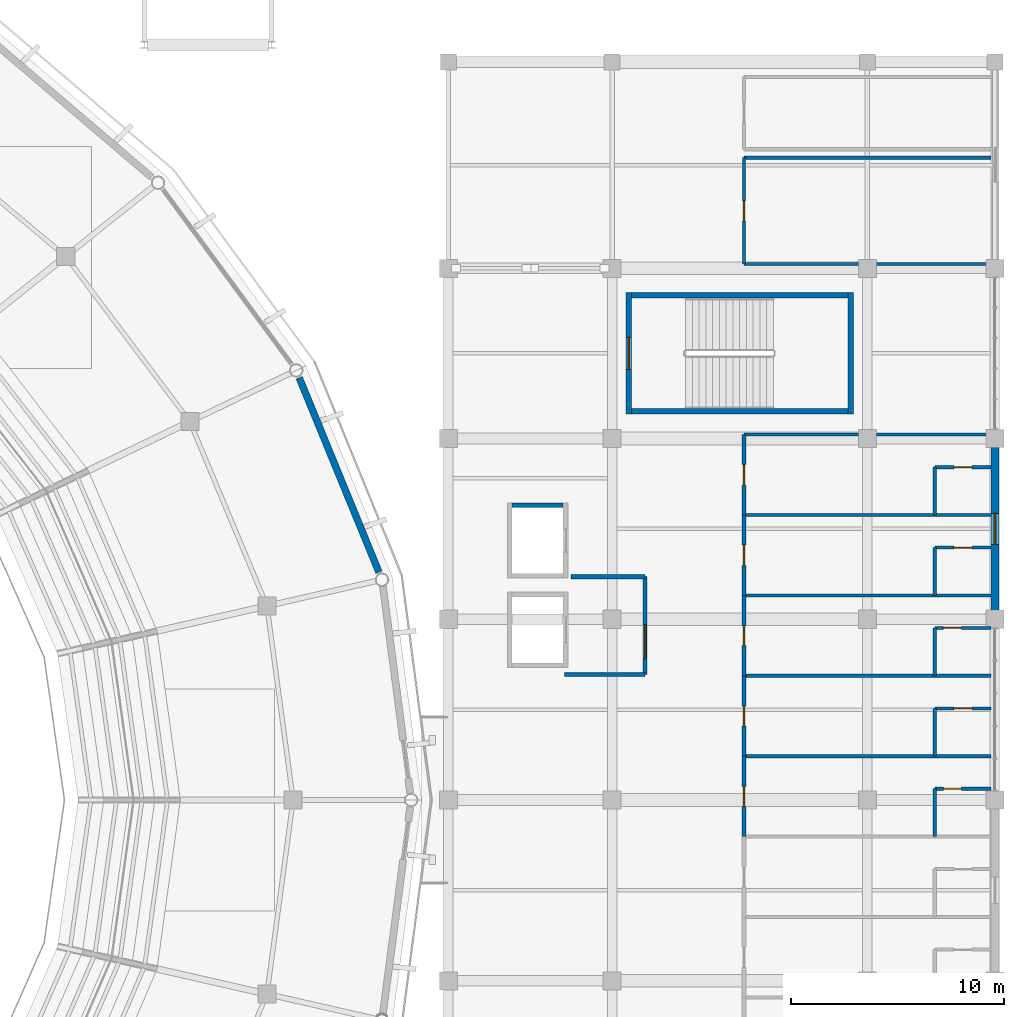
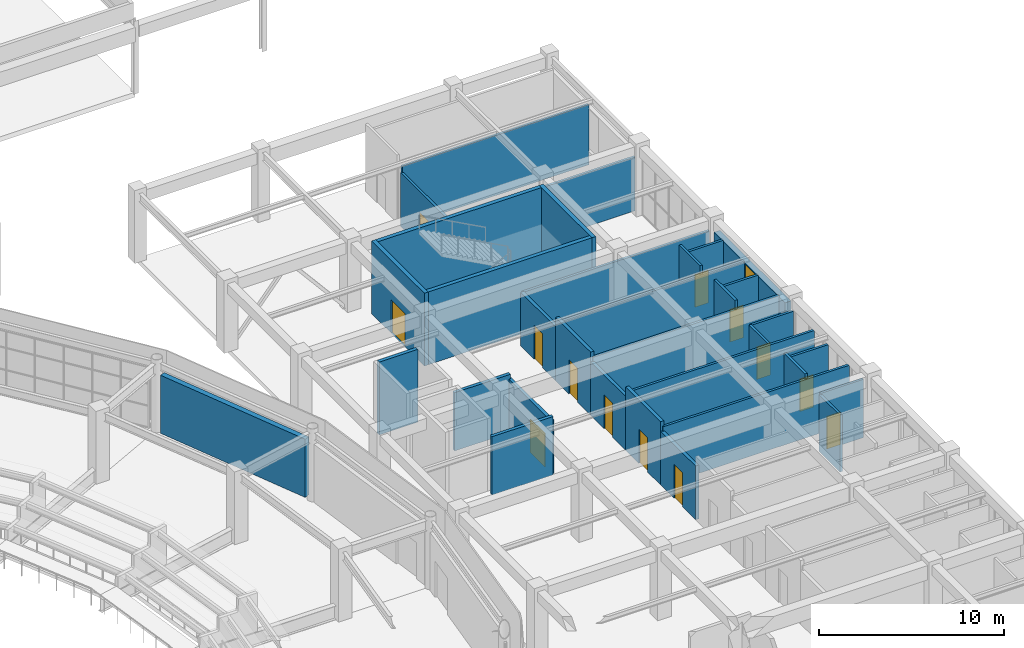
# One storey, part 105 of 122: 33 walls, 13 doors, 1 window, 14 openings.
"""IFC4 building model written with IfcOpenShell, lengths in metres."""

from ifc_helpers import new_model, si_unit, direction, frame, frame_2d, origin, place, context, subcontext, project, spatial, rectangle, extrude, material, layer, layer_set, type_object, element, fill, save


model = new_model("IFC4")

# Units and contexts
model_context = context("Model", 3, precision=1e-05, world=origin(), true_north=direction((0.0, 1.0)))
body_context = subcontext(model_context, "Body", "Model", "MODEL_VIEW")
ifc_project = project(units=[si_unit("LENGTHUNIT", "METRE"), si_unit("AREAUNIT", "SQUARE_METRE"), si_unit("VOLUMEUNIT", "CUBIC_METRE"), si_unit("PLANEANGLEUNIT", "RADIAN"), si_unit("MASSUNIT", "GRAM", prefix="KILO")], contexts=[model_context])

# Site, building, storey
site_placement = place(None, origin())
site = spatial("IfcSite", under=ifc_project, at=site_placement, CompositionType="ELEMENT")
building_placement = place(site_placement, origin())
building = spatial("IfcBuilding", under=site, at=building_placement, Name="Cuetzalor Civic Arena", CompositionType="ELEMENT")
storey_placement = place(building_placement, frame((0.0, 0.0, 16.199951171875)))
storey = spatial("IfcBuildingStorey", under=building, at=storey_placement, Name="L03", CompositionType="ELEMENT", Elevation=16.199951171875)

# Wall, opening, door
ifc_material_1 = material(Name="Acoustic steel-stud gypsum partition", Category="steel")
ifc_layer_1 = layer(ifc_material_1, 0.14990234375)
ifc_layer_set_1 = layer_set([ifc_layer_1], Name="Acoustic steel-stud gypsum partition")
wall_type_1 = type_object("IfcWallType", Name="AcousticGypsumPartition_150", PredefinedType="PARTITIONING", material=ifc_layer_set_1)
wall_1_placement = place(storey_placement, frame((79.169921875, 0.530029296875, 0.0), z_axis=(0.0, 0.0, 1.0), x_axis=(1.0, 0.0, 0.0)))
wall_1 = element("IfcWall", 1, at=wall_1_placement, inside=storey, type_object=wall_type_1, Name="Interior Partition IWALL:L03:0463", PredefinedType="PARTITIONING", context=body_context, shape_type="SweptSolid", body=[
    extrude(rectangle(XDim=2.650146484375, YDim=0.14990234375, at=frame_2d((1.3251953125, 0.0))), origin(), (0.0, 0.0, 1.0), 3.844970703125),
])
opening_1_placement = place(wall_1_placement, frame((0.39990234375, 0.0, 0.0)))
opening_1 = element("IfcOpeningElement", 2, at=opening_1_placement, cuts=wall_1, Name="Opening ID-01", PredefinedType="OPENING", context=body_context, shape_type="SweptSolid", body=[
    extrude(rectangle(XDim=0.85009765625, YDim=2.14990234375, at=frame_2d((0.425048828125, 1.074951171875))), frame((0.0, 0.0849609375, 0.0), z_axis=(0.0, -1.0, 0.0), x_axis=(1.0, 0.0, 0.0)), (0.0, 0.0, 1.0), 0.169921875),
])
ifc_material_2 = material(Name="Painted steel frame and solid timber leaf", Category="steel")
door_type_1 = type_object("IfcDoorType", Name="InteriorSingleDoor_850x2150", OperationType="NOTDEFINED", PredefinedType="DOOR", material=ifc_material_2)
door_1_placement = place(opening_1_placement, origin())
door_1 = element("IfcDoor", 3, at=door_1_placement, inside=storey, type_object=door_type_1, Name="Door to Suite Bathroom 318", OperationType="SINGLE_SWING_LEFT", OverallHeight=2.14990234375, OverallWidth=0.85009765625, PredefinedType="DOOR", context=body_context, shape_type="SweptSolid", body=[
    extrude(rectangle(XDim=0.85009765625, YDim=2.14990234375, at=frame_2d((0.425048828125, 1.074951171875))), frame((0.0, 0.02490234375, 0.0), z_axis=(0.0, -1.0, 0.0), x_axis=(1.0, 0.0, 0.0)), (0.0, 0.0, 1.0), 0.050048828125),
])
fill(opening_1, door_1)

# Walls
wall_2_placement = place(storey_placement, frame((79.169921875, -1.719970703125, 0.0), z_axis=(0.0, 0.0, 1.0), x_axis=(0.0, 1.0, 0.0)))
element("IfcWall", 4, at=wall_2_placement, inside=storey, type_object=wall_type_1, Name="Interior Partition IWALL:L03:0464", PredefinedType="PARTITIONING", context=body_context, shape_type="SweptSolid", body=[
    extrude(rectangle(XDim=2.25, YDim=0.14990234375, at=frame_2d((1.125, 0.0))), origin(), (0.0, 0.0, 1.0), 3.7451171875),
])
wall_3_placement = place(storey_placement, frame((70.199951171875, 2.06005859375, 0.0), z_axis=(0.0, 0.0, 1.0), x_axis=(1.0, 0.0, 0.0)))
element("IfcWall", 5, at=wall_3_placement, inside=storey, type_object=wall_type_1, Name="Interior Partition IWALL:L03:0466", PredefinedType="PARTITIONING", context=body_context, shape_type="SweptSolid", body=[
    extrude(rectangle(XDim=11.6201171875, YDim=0.14990234375, at=frame_2d((5.81005859375, 0.0))), origin(), (0.0, 0.0, 1.0), 3.844970703125),
])

# Wall, opening, door
wall_4_placement = place(storey_placement, frame((79.169921875, 4.31005859375, 0.0), z_axis=(0.0, 0.0, 1.0), x_axis=(1.0, 0.0, 0.0)))
wall_4 = element("IfcWall", 6, at=wall_4_placement, inside=storey, type_object=wall_type_1, Name="Interior Partition IWALL:L03:0467", PredefinedType="PARTITIONING", context=body_context, shape_type="SweptSolid", body=[
    extrude(rectangle(XDim=2.650146484375, YDim=0.14990234375, at=frame_2d((1.3251953125, 0.0))), origin(), (0.0, 0.0, 1.0), 3.844970703125),
])
opening_2_placement = place(wall_4_placement, frame((0.89990234375, 0.0, 0.0)))
opening_2 = element("IfcOpeningElement", 7, at=opening_2_placement, cuts=wall_4, Name="Opening ID-01", PredefinedType="OPENING", context=body_context, shape_type="SweptSolid", body=[
    extrude(rectangle(XDim=0.85009765625, YDim=2.14990234375, at=frame_2d((0.425048828125, 1.074951171875))), frame((0.0, 0.0849609375, 0.0), z_axis=(0.0, -1.0, 0.0), x_axis=(1.0, 0.0, 0.0)), (0.0, 0.0, 1.0), 0.169921875),
])
door_2_placement = place(opening_2_placement, origin())
door_2 = element("IfcDoor", 8, at=door_2_placement, inside=storey, type_object=door_type_1, Name="Door to Suite Bathroom 319", OperationType="SINGLE_SWING_LEFT", OverallHeight=2.14990234375, OverallWidth=0.85009765625, PredefinedType="DOOR", context=body_context, shape_type="SweptSolid", body=[
    extrude(rectangle(XDim=0.85009765625, YDim=2.14990234375, at=frame_2d((0.425048828125, 1.074951171875))), frame((0.0, 0.02490234375, 0.0), z_axis=(0.0, -1.0, 0.0), x_axis=(1.0, 0.0, 0.0)), (0.0, 0.0, 1.0), 0.050048828125),
])
fill(opening_2, door_2)

# Walls
wall_5_placement = place(storey_placement, frame((79.169921875, 2.06005859375, 0.0), z_axis=(0.0, 0.0, 1.0), x_axis=(0.0, 1.0, 0.0)))
element("IfcWall", 9, at=wall_5_placement, inside=storey, type_object=wall_type_1, Name="Interior Partition IWALL:L03:0468", PredefinedType="PARTITIONING", context=body_context, shape_type="SweptSolid", body=[
    extrude(rectangle(XDim=2.25, YDim=0.14990234375, at=frame_2d((1.125, 0.0))), origin(), (0.0, 0.0, 1.0), 4.18212890625),
])
wall_6_placement = place(storey_placement, frame((70.199951171875, 5.840087890625, 0.0), z_axis=(0.0, 0.0, 1.0), x_axis=(1.0, 0.0, 0.0)))
element("IfcWall", 10, at=wall_6_placement, inside=storey, type_object=wall_type_1, Name="Interior Partition IWALL:L03:0470", PredefinedType="PARTITIONING", context=body_context, shape_type="SweptSolid", body=[
    extrude(rectangle(XDim=11.6201171875, YDim=0.14990234375, at=frame_2d((5.81005859375, 0.0))), origin(), (0.0, 0.0, 1.0), 3.844970703125),
])

# Wall, opening, door
wall_7_placement = place(storey_placement, frame((79.169921875, 8.090087890625, 0.0), z_axis=(0.0, 0.0, 1.0), x_axis=(1.0, 0.0, 0.0)))
wall_7 = element("IfcWall", 11, at=wall_7_placement, inside=storey, type_object=wall_type_1, Name="Interior Partition IWALL:L03:0471", PredefinedType="PARTITIONING", context=body_context, shape_type="SweptSolid", body=[
    extrude(rectangle(XDim=2.650146484375, YDim=0.14990234375, at=frame_2d((1.3251953125, 0.0))), origin(), (0.0, 0.0, 1.0), 3.7451171875),
])
opening_3_placement = place(wall_7_placement, frame((0.39990234375, 0.0, 0.0)))
opening_3 = element("IfcOpeningElement", 12, at=opening_3_placement, cuts=wall_7, Name="Opening ID-01", PredefinedType="OPENING", context=body_context, shape_type="SweptSolid", body=[
    extrude(rectangle(XDim=0.85009765625, YDim=2.14990234375, at=frame_2d((0.425048828125, 1.074951171875))), frame((0.0, 0.0849609375, 0.0), z_axis=(0.0, -1.0, 0.0), x_axis=(1.0, 0.0, 0.0)), (0.0, 0.0, 1.0), 0.169921875),
])
door_3_placement = place(opening_3_placement, origin())
door_3 = element("IfcDoor", 13, at=door_3_placement, inside=storey, type_object=door_type_1, Name="Door to Suite Bathroom 320", OperationType="SINGLE_SWING_LEFT", OverallHeight=2.14990234375, OverallWidth=0.85009765625, PredefinedType="DOOR", context=body_context, shape_type="SweptSolid", body=[
    extrude(rectangle(XDim=0.85009765625, YDim=2.14990234375, at=frame_2d((0.425048828125, 1.074951171875))), frame((0.0, 0.02490234375, 0.0), z_axis=(0.0, -1.0, 0.0), x_axis=(1.0, 0.0, 0.0)), (0.0, 0.0, 1.0), 0.050048828125),
])
fill(opening_3, door_3)

# Walls
wall_8_placement = place(storey_placement, frame((79.169921875, 5.840087890625, 0.0), z_axis=(0.0, 0.0, 1.0), x_axis=(0.0, 1.0, 0.0)))
element("IfcWall", 14, at=wall_8_placement, inside=storey, type_object=wall_type_1, Name="Interior Partition IWALL:L03:0472", PredefinedType="PARTITIONING", context=body_context, shape_type="SweptSolid", body=[
    extrude(rectangle(XDim=2.25, YDim=0.14990234375, at=frame_2d((1.125, 0.0))), origin(), (0.0, 0.0, 1.0), 3.7451171875),
])
wall_9_placement = place(storey_placement, frame((70.199951171875, 9.6201171875, 0.0), z_axis=(0.0, 0.0, 1.0), x_axis=(1.0, 0.0, 0.0)))
element("IfcWall", 15, at=wall_9_placement, inside=storey, type_object=wall_type_1, Name="Interior Partition IWALL:L03:0474", PredefinedType="PARTITIONING", context=body_context, shape_type="SweptSolid", body=[
    extrude(rectangle(XDim=11.6201171875, YDim=0.14990234375, at=frame_2d((5.81005859375, 0.0))), origin(), (0.0, 0.0, 1.0), 3.844970703125),
])

# Wall, opening, door
wall_10_placement = place(storey_placement, frame((79.169921875, 11.8701171875, 0.0), z_axis=(0.0, 0.0, 1.0), x_axis=(1.0, 0.0, 0.0)))
wall_10 = element("IfcWall", 16, at=wall_10_placement, inside=storey, type_object=wall_type_1, Name="Interior Partition IWALL:L03:0475", PredefinedType="PARTITIONING", context=body_context, shape_type="SweptSolid", body=[
    extrude(rectangle(XDim=2.650146484375, YDim=0.14990234375, at=frame_2d((1.3251953125, 0.0))), origin(), (0.0, 0.0, 1.0), 3.844970703125),
])
opening_4_placement = place(wall_10_placement, frame((0.89990234375, 0.0, 0.0)))
opening_4 = element("IfcOpeningElement", 17, at=opening_4_placement, cuts=wall_10, Name="Opening ID-01", PredefinedType="OPENING", context=body_context, shape_type="SweptSolid", body=[
    extrude(rectangle(XDim=0.85009765625, YDim=2.14990234375, at=frame_2d((0.425048828125, 1.074951171875))), frame((0.0, 0.0849609375, 0.0), z_axis=(0.0, -1.0, 0.0), x_axis=(1.0, 0.0, 0.0)), (0.0, 0.0, 1.0), 0.169921875),
])
door_4_placement = place(opening_4_placement, origin())
door_4 = element("IfcDoor", 18, at=door_4_placement, inside=storey, type_object=door_type_1, Name="Door to Suite Bathroom 321", OperationType="SINGLE_SWING_LEFT", OverallHeight=2.14990234375, OverallWidth=0.85009765625, PredefinedType="DOOR", context=body_context, shape_type="SweptSolid", body=[
    extrude(rectangle(XDim=0.85009765625, YDim=2.14990234375, at=frame_2d((0.425048828125, 1.074951171875))), frame((0.0, 0.02490234375, 0.0), z_axis=(0.0, -1.0, 0.0), x_axis=(1.0, 0.0, 0.0)), (0.0, 0.0, 1.0), 0.050048828125),
])
fill(opening_4, door_4)

# Walls
wall_11_placement = place(storey_placement, frame((79.169921875, 9.6201171875, 0.0), z_axis=(0.0, 0.0, 1.0), x_axis=(0.0, 1.0, 0.0)))
element("IfcWall", 19, at=wall_11_placement, inside=storey, type_object=wall_type_1, Name="Interior Partition IWALL:L03:0476", PredefinedType="PARTITIONING", context=body_context, shape_type="SweptSolid", body=[
    extrude(rectangle(XDim=2.25, YDim=0.14990234375, at=frame_2d((1.125, 0.0))), origin(), (0.0, 0.0, 1.0), 4.43994140625),
])
wall_12_placement = place(storey_placement, frame((70.199951171875, 13.39990234375, 0.0), z_axis=(0.0, 0.0, 1.0), x_axis=(1.0, 0.0, 0.0)))
element("IfcWall", 20, at=wall_12_placement, inside=storey, type_object=wall_type_1, Name="Interior Partition IWALL:L03:0478", PredefinedType="PARTITIONING", context=body_context, shape_type="SweptSolid", body=[
    extrude(rectangle(XDim=11.6201171875, YDim=0.14990234375, at=frame_2d((5.81005859375, 0.0))), origin(), (0.0, 0.0, 1.0), 3.844970703125),
])

# Wall, opening, door
wall_13_placement = place(storey_placement, frame((79.169921875, 15.64990234375, 0.0), z_axis=(0.0, 0.0, 1.0), x_axis=(1.0, 0.0, 0.0)))
wall_13 = element("IfcWall", 21, at=wall_13_placement, inside=storey, type_object=wall_type_1, Name="Interior Partition IWALL:L03:0479", PredefinedType="PARTITIONING", context=body_context, shape_type="SweptSolid", body=[
    extrude(rectangle(XDim=2.650146484375, YDim=0.14990234375, at=frame_2d((1.3251953125, 0.0))), origin(), (0.0, 0.0, 1.0), 3.844970703125),
])
opening_5_placement = place(wall_13_placement, frame((0.89990234375, 0.0, 0.0)))
opening_5 = element("IfcOpeningElement", 22, at=opening_5_placement, cuts=wall_13, Name="Opening ID-01", PredefinedType="OPENING", context=body_context, shape_type="SweptSolid", body=[
    extrude(rectangle(XDim=0.85009765625, YDim=2.14990234375, at=frame_2d((0.425048828125, 1.074951171875))), frame((0.0, 0.0849609375, 0.0), z_axis=(0.0, -1.0, 0.0), x_axis=(1.0, 0.0, 0.0)), (0.0, 0.0, 1.0), 0.169921875),
])
door_5_placement = place(opening_5_placement, origin())
door_5 = element("IfcDoor", 23, at=door_5_placement, inside=storey, type_object=door_type_1, Name="Door to Suite Bathroom 322", OperationType="SINGLE_SWING_LEFT", OverallHeight=2.14990234375, OverallWidth=0.85009765625, PredefinedType="DOOR", context=body_context, shape_type="SweptSolid", body=[
    extrude(rectangle(XDim=0.85009765625, YDim=2.14990234375, at=frame_2d((0.425048828125, 1.074951171875))), frame((0.0, 0.02490234375, 0.0), z_axis=(0.0, -1.0, 0.0), x_axis=(1.0, 0.0, 0.0)), (0.0, 0.0, 1.0), 0.050048828125),
])
fill(opening_5, door_5)

# Walls
wall_14_placement = place(storey_placement, frame((79.169921875, 13.39990234375, 0.0), z_axis=(0.0, 0.0, 1.0), x_axis=(0.0, 1.0, 0.0)))
element("IfcWall", 24, at=wall_14_placement, inside=storey, type_object=wall_type_1, Name="Interior Partition IWALL:L03:0480", PredefinedType="PARTITIONING", context=body_context, shape_type="SweptSolid", body=[
    extrude(rectangle(XDim=2.25, YDim=0.14990234375, at=frame_2d((1.125, 0.0))), origin(), (0.0, 0.0, 1.0), 4.43994140625),
])
wall_15_placement = place(storey_placement, frame((70.199951171875, 17.179931640625, 0.0), z_axis=(0.0, 0.0, 1.0), x_axis=(1.0, 0.0, 0.0)))
element("IfcWall", 25, at=wall_15_placement, inside=storey, type_object=wall_type_1, Name="Interior Partition IWALL:L03:0482", PredefinedType="PARTITIONING", context=body_context, shape_type="SweptSolid", body=[
    extrude(rectangle(XDim=11.6201171875, YDim=0.14990234375, at=frame_2d((5.81005859375, 0.0))), origin(), (0.0, 0.0, 1.0), 3.545166015625),
])
wall_16_placement = place(storey_placement, frame((70.199951171875, 30.199951171875, 0.0), z_axis=(0.0, 0.0, 1.0), x_axis=(1.0, 0.0, 0.0)))
element("IfcWall", 26, at=wall_16_placement, inside=storey, type_object=wall_type_1, Name="Interior Partition IWALL:L03:0483", PredefinedType="PARTITIONING", context=body_context, shape_type="SweptSolid", body=[
    extrude(rectangle(XDim=11.6201171875, YDim=0.14990234375, at=frame_2d((5.81005859375, 0.0))), origin(), (0.0, 0.0, 1.0), 3.962158203125),
])
wall_17_placement = place(storey_placement, frame((81.820068359375, 25.199951171875, 0.0), z_axis=(0.0, 0.0, 1.0), x_axis=(-1.0, 0.0, 0.0)))
element("IfcWall", 27, at=wall_17_placement, inside=storey, type_object=wall_type_1, Name="Interior Partition IWALL:L03:0484", PredefinedType="PARTITIONING", context=body_context, shape_type="SweptSolid", body=[
    extrude(rectangle(XDim=11.6201171875, YDim=0.14990234375, at=frame_2d((5.81005859375, 0.0))), origin(), (0.0, 0.0, 1.0), 3.545166015625),
])

# Wall, opening, door
wall_18_placement = place(storey_placement, frame((70.199951171875, 25.199951171875, 0.0), z_axis=(0.0, 0.0, 1.0), x_axis=(0.0, 1.0, 0.0)))
wall_18 = element("IfcWall", 28, at=wall_18_placement, inside=storey, type_object=wall_type_1, Name="Interior Partition IWALL:L03:0485", PredefinedType="PARTITIONING", context=body_context, shape_type="SweptSolid", body=[
    extrude(rectangle(XDim=5.0, YDim=0.14990234375, at=frame_2d((2.5, 0.0))), origin(), (0.0, 0.0, 1.0), 3.545166015625),
])
opening_6_placement = place(wall_18_placement, frame((2.02490234375, 0.0, 0.0)))
opening_6 = element("IfcOpeningElement", 29, at=opening_6_placement, cuts=wall_18, Name="Opening ID-03", PredefinedType="OPENING", context=body_context, shape_type="SweptSolid", body=[
    extrude(rectangle(XDim=0.949951171875, YDim=2.14990234375, at=frame_2d((0.47509765625, 1.074951171875))), frame((0.0, 0.0849609375, 0.0), z_axis=(0.0, -1.0, 0.0), x_axis=(1.0, 0.0, 0.0)), (0.0, 0.0, 1.0), 0.169921875),
])
ifc_material_3 = material(Name="Painted steel frame and solid timber leaf", Category="steel")
door_type_2 = type_object("IfcDoorType", Name="InteriorSingleDoor_950x2150", OperationType="NOTDEFINED", PredefinedType="DOOR", material=ifc_material_3)
door_6_placement = place(opening_6_placement, origin())
door_6 = element("IfcDoor", 30, at=door_6_placement, inside=storey, type_object=door_type_2, Name="Door to Public Restroom East L03", OperationType="SINGLE_SWING_LEFT", OverallHeight=2.14990234375, OverallWidth=0.949951171875, PredefinedType="DOOR", context=body_context, shape_type="SweptSolid", body=[
    extrude(rectangle(XDim=0.949951171875, YDim=2.14990234375, at=frame_2d((0.47509765625, 1.074951171875))), frame((0.0, 0.02490234375, 0.0), z_axis=(0.0, -1.0, 0.0), x_axis=(1.0, 0.0, 0.0)), (0.0, 0.0, 1.0), 0.050048828125),
])
fill(opening_6, door_6)

ifc_material_4 = material(Name="Concrete C40/50", Category="concrete")
ifc_layer_2 = layer(ifc_material_4, 0.25)
ifc_layer_set_2 = layer_set([ifc_layer_2], Name="Concrete C40/50")
wall_type_2 = type_object("IfcWallType", Name="ConcreteCoreShearWall_250", PredefinedType="SHEAR", material=ifc_layer_set_2)
wall_19_placement = place(storey_placement, frame((64.77490234375, 18.14990234375, 0.0), z_axis=(0.0, 0.0, 1.0), x_axis=(0.0, 1.0, 0.0)))
wall_19 = element("IfcWall", 31, at=wall_19_placement, inside=storey, type_object=wall_type_2, Name="Stair Core Shear Wall ST-22-L03-W", PredefinedType="SHEAR", context=body_context, shape_type="SweptSolid", body=[
    extrude(rectangle(XDim=5.7001953125, YDim=0.25, at=frame_2d((2.85009765625, 0.0))), origin(), (0.0, 0.0, 1.0), 4.800048828125),
])
opening_7_placement = place(wall_19_placement, frame((2.10009765625, 0.0, 0.0)))
opening_7 = element("IfcOpeningElement", 32, at=opening_7_placement, cuts=wall_19, Name="Opening FD-03", PredefinedType="OPENING", context=body_context, shape_type="SweptSolid", body=[
    extrude(rectangle(XDim=1.5, YDim=2.199951171875, at=frame_2d((0.75, 1.10009765625))), frame((0.0, 0.135009765625, 0.0), z_axis=(0.0, -1.0, 0.0), x_axis=(1.0, 0.0, 0.0)), (0.0, 0.0, 1.0), 0.27001953125),
])
ifc_material_5 = material(Name="Fire-rated steel stair exit double door", Category="steel")
door_type_3 = type_object("IfcDoorType", Name="StairFireDoubleDoor_1500x2200", OperationType="DOUBLE_DOOR_SINGLE_SWING", PredefinedType="DOOR", material=ifc_material_5)
door_7_placement = place(opening_7_placement, origin())
door_7 = element("IfcDoor", 33, at=door_7_placement, inside=storey, type_object=door_type_3, Name="Fire Stair Door ST-22 L03", OperationType="DOUBLE_DOOR_SINGLE_SWING", OverallHeight=2.199951171875, OverallWidth=1.5, PredefinedType="DOOR", context=body_context, shape_type="SweptSolid", body=[
    extrude(rectangle(XDim=1.5, YDim=2.199951171875, at=frame_2d((0.75, 1.10009765625))), frame((0.0, 0.02490234375, 0.0), z_axis=(0.0, -1.0, 0.0), x_axis=(1.0, 0.0, 0.0)), (0.0, 0.0, 1.0), 0.050048828125),
])
fill(opening_7, door_7)

# Walls
wall_20_placement = place(storey_placement, frame((64.89990234375, 23.72509765625, 0.0), z_axis=(0.0, 0.0, 1.0), x_axis=(1.0, 0.0, 0.0)))
element("IfcWall", 34, at=wall_20_placement, inside=storey, type_object=wall_type_2, Name="Stair Core Shear Wall ST-22-L03-N", PredefinedType="SHEAR", context=body_context, shape_type="SweptSolid", body=[
    extrude(rectangle(XDim=10.2001953125, YDim=0.25, at=frame_2d((5.10009765625, 0.0))), origin(), (0.0, 0.0, 1.0), 4.800048828125),
])
wall_21_placement = place(storey_placement, frame((75.22509765625, 23.85009765625, 0.0), z_axis=(0.0, 0.0, 1.0), x_axis=(0.0, -1.0, 0.0)))
element("IfcWall", 35, at=wall_21_placement, inside=storey, type_object=wall_type_2, Name="Stair Core Shear Wall ST-22-L03-E", PredefinedType="SHEAR", context=body_context, shape_type="SweptSolid", body=[
    extrude(rectangle(XDim=5.7001953125, YDim=0.25, at=frame_2d((2.85009765625, 0.0))), origin(), (0.0, 0.0, 1.0), 4.800048828125),
])
wall_22_placement = place(storey_placement, frame((75.10009765625, 18.27490234375, 0.0), z_axis=(0.0, 0.0, 1.0), x_axis=(-1.0, 0.0, 0.0)))
element("IfcWall", 36, at=wall_22_placement, inside=storey, type_object=wall_type_2, Name="Stair Core Shear Wall ST-22-L03-S", PredefinedType="SHEAR", context=body_context, shape_type="SweptSolid", body=[
    extrude(rectangle(XDim=10.2001953125, YDim=0.25, at=frame_2d((5.10009765625, 0.0))), origin(), (0.0, 0.0, 1.0), 4.800048828125),
])

# Wall, opening, door
ifc_material_6 = material(Name="Fire-rated masonry and gypsum partition", Category="masonry")
ifc_layer_3 = layer(ifc_material_6, 0.199951171875)
ifc_layer_set_3 = layer_set([ifc_layer_3], Name="Fire-rated masonry and gypsum partition")
wall_type_3 = type_object("IfcWallType", Name="FireCompartmentWall_200", PredefinedType="PARTITIONING", material=ifc_layer_set_3)
wall_23_placement = place(storey_placement, frame((65.550048828125, 10.5, 0.0), z_axis=(0.0, 0.0, 1.0), x_axis=(0.0, -1.0, 0.0)))
wall_23 = element("IfcWall", 37, at=wall_23_placement, inside=storey, type_object=wall_type_3, Name="Interior Partition IWALL:L03:0064", PredefinedType="PARTITIONING", context=body_context, shape_type="SweptSolid", body=[
    extrude(rectangle(XDim=4.60009765625, YDim=0.199951171875, at=frame_2d((2.300048828125, 0.0))), origin(), (0.0, 0.0, 1.0), 3.545166015625),
])
opening_8_placement = place(wall_23_placement, frame((2.25, 0.0, 0.0)))
opening_8 = element("IfcOpeningElement", 38, at=opening_8_placement, cuts=wall_23, Name="Opening FD-05", PredefinedType="OPENING", context=body_context, shape_type="SweptSolid", body=[
    extrude(rectangle(XDim=1.60009765625, YDim=2.199951171875, at=frame_2d((0.800048828125, 1.10009765625))), frame((0.0, 0.10986328125, 0.0), z_axis=(0.0, -1.0, 0.0), x_axis=(1.0, 0.0, 0.0)), (0.0, 0.0, 1.0), 0.219970703125),
])
ifc_material_7 = material(Name="Fire-rated smoke-seal lobby double door", Category="steel")
door_type_4 = type_object("IfcDoorType", Name="FireLobbyDoubleDoor_1600x2200", OperationType="DOUBLE_DOOR_SINGLE_SWING", PredefinedType="DOOR", material=ifc_material_7)
door_8_placement = place(opening_8_placement, origin())
door_8 = element("IfcDoor", 39, at=door_8_placement, inside=storey, type_object=door_type_4, Name="Door to Firefighting Lift Lobby LF-04 L03", OperationType="DOUBLE_DOOR_SINGLE_SWING", OverallHeight=2.199951171875, OverallWidth=1.60009765625, PredefinedType="DOOR", context=body_context, shape_type="SweptSolid", body=[
    extrude(rectangle(XDim=1.60009765625, YDim=2.199951171875, at=frame_2d((0.800048828125, 1.10009765625))), frame((0.0, 0.02490234375, 0.0), z_axis=(0.0, -1.0, 0.0), x_axis=(1.0, 0.0, 0.0)), (0.0, 0.0, 1.0), 0.050048828125),
])
fill(opening_8, door_8)

# Walls
wall_24_placement = place(storey_placement, frame((62.070068359375, 10.5, 0.0), z_axis=(0.0, 0.0, 1.0), x_axis=(1.0, 0.0, 0.0)))
element("IfcWall", 40, at=wall_24_placement, inside=storey, type_object=wall_type_3, Name="Interior Partition IWALL:L03:0065", PredefinedType="PARTITIONING", context=body_context, shape_type="SweptSolid", body=[
    extrude(rectangle(XDim=3.47998046875, YDim=0.199951171875, at=frame_2d((1.739990234375, 0.0))), origin(), (0.0, 0.0, 1.0), 3.844970703125),
])
wall_25_placement = place(storey_placement, frame((65.550048828125, 5.89990234375, 0.0), z_axis=(0.0, 0.0, 1.0), x_axis=(-1.0, 0.0, 0.0)))
element("IfcWall", 41, at=wall_25_placement, inside=storey, type_object=wall_type_3, Name="Interior Partition IWALL:L03:0066", PredefinedType="PARTITIONING", context=body_context, shape_type="SweptSolid", body=[
    extrude(rectangle(XDim=3.800048828125, YDim=0.199951171875, at=frame_2d((1.89990234375, 0.0))), origin(), (0.0, 0.0, 1.0), 3.844970703125),
])

# Wall, opening, door
wall_26_placement = place(storey_placement, frame((70.199951171875, -1.719970703125, 0.0), z_axis=(0.0, 0.0, 1.0), x_axis=(0.0, 1.0, 0.0)))
wall_26 = element("IfcWall", 42, at=wall_26_placement, inside=storey, type_object=wall_type_3, Name="Interior Partition IWALL:L03:0465", PredefinedType="PARTITIONING", context=body_context, shape_type="SweptSolid", body=[
    extrude(rectangle(XDim=3.780029296875, YDim=0.199951171875, at=frame_2d((1.89013671875, 0.0))), origin(), (0.0, 0.0, 1.0), 3.545166015625),
])
opening_9_placement = place(wall_26_placement, frame((1.4150390625, 0.0, 0.0)))
opening_9 = element("IfcOpeningElement", 43, at=opening_9_placement, cuts=wall_26, Name="Opening ID-05", PredefinedType="OPENING", context=body_context, shape_type="SweptSolid", body=[
    extrude(rectangle(XDim=0.949951171875, YDim=2.25, at=frame_2d((0.47509765625, 1.125))), frame((0.0, 0.10986328125, 0.0), z_axis=(0.0, -1.0, 0.0), x_axis=(1.0, 0.0, 0.0)), (0.0, 0.0, 1.0), 0.219970703125),
])
ifc_material_8 = material(Name="Bronze-clad fire-rated acoustic timber door", Category="wood")
door_type_5 = type_object("IfcDoorType", Name="SuiteEntryDoor_950x2150", OperationType="NOTDEFINED", PredefinedType="DOOR", material=ifc_material_8)
door_9_placement = place(opening_9_placement, origin())
door_9 = element("IfcDoor", 44, at=door_9_placement, inside=storey, type_object=door_type_5, Name="Door to Private Viewing Suite 318", OperationType="SINGLE_SWING_RIGHT", OverallHeight=2.25, OverallWidth=0.949951171875, PredefinedType="DOOR", context=body_context, shape_type="SweptSolid", body=[
    extrude(rectangle(XDim=0.949951171875, YDim=2.25, at=frame_2d((0.47509765625, 1.125))), frame((0.0, 0.02490234375, 0.0), z_axis=(0.0, -1.0, 0.0), x_axis=(1.0, 0.0, 0.0)), (0.0, 0.0, 1.0), 0.050048828125),
])
fill(opening_9, door_9)

wall_27_placement = place(storey_placement, frame((70.199951171875, 2.06005859375, 0.0), z_axis=(0.0, 0.0, 1.0), x_axis=(0.0, 1.0, 0.0)))
wall_27 = element("IfcWall", 45, at=wall_27_placement, inside=storey, type_object=wall_type_3, Name="Interior Partition IWALL:L03:0469", PredefinedType="PARTITIONING", context=body_context, shape_type="SweptSolid", body=[
    extrude(rectangle(XDim=3.780029296875, YDim=0.199951171875, at=frame_2d((1.89013671875, 0.0))), origin(), (0.0, 0.0, 1.0), 4.18212890625),
])
opening_10_placement = place(wall_27_placement, frame((1.4150390625, 0.0, 0.0)))
opening_10 = element("IfcOpeningElement", 46, at=opening_10_placement, cuts=wall_27, Name="Opening ID-05", PredefinedType="OPENING", context=body_context, shape_type="SweptSolid", body=[
    extrude(rectangle(XDim=0.949951171875, YDim=2.25, at=frame_2d((0.47509765625, 1.125))), frame((0.0, 0.10986328125, 0.0), z_axis=(0.0, -1.0, 0.0), x_axis=(1.0, 0.0, 0.0)), (0.0, 0.0, 1.0), 0.219970703125),
])
door_10_placement = place(opening_10_placement, origin())
door_10 = element("IfcDoor", 47, at=door_10_placement, inside=storey, type_object=door_type_5, Name="Door to Private Viewing Suite 319", OperationType="SINGLE_SWING_RIGHT", OverallHeight=2.25, OverallWidth=0.949951171875, PredefinedType="DOOR", context=body_context, shape_type="SweptSolid", body=[
    extrude(rectangle(XDim=0.949951171875, YDim=2.25, at=frame_2d((0.47509765625, 1.125))), frame((0.0, 0.02490234375, 0.0), z_axis=(0.0, -1.0, 0.0), x_axis=(1.0, 0.0, 0.0)), (0.0, 0.0, 1.0), 0.050048828125),
])
fill(opening_10, door_10)

wall_28_placement = place(storey_placement, frame((70.199951171875, 5.840087890625, 0.0), z_axis=(0.0, 0.0, 1.0), x_axis=(0.0, 1.0, 0.0)))
wall_28 = element("IfcWall", 48, at=wall_28_placement, inside=storey, type_object=wall_type_3, Name="Interior Partition IWALL:L03:0473", PredefinedType="PARTITIONING", context=body_context, shape_type="SweptSolid", body=[
    extrude(rectangle(XDim=3.780029296875, YDim=0.199951171875, at=frame_2d((1.89013671875, 0.0))), origin(), (0.0, 0.0, 1.0), 3.545166015625),
])
opening_11_placement = place(wall_28_placement, frame((1.4150390625, 0.0, 0.0)))
opening_11 = element("IfcOpeningElement", 49, at=opening_11_placement, cuts=wall_28, Name="Opening ID-05", PredefinedType="OPENING", context=body_context, shape_type="SweptSolid", body=[
    extrude(rectangle(XDim=0.949951171875, YDim=2.25, at=frame_2d((0.47509765625, 1.125))), frame((0.0, 0.10986328125, 0.0), z_axis=(0.0, -1.0, 0.0), x_axis=(1.0, 0.0, 0.0)), (0.0, 0.0, 1.0), 0.219970703125),
])
door_11_placement = place(opening_11_placement, origin())
door_11 = element("IfcDoor", 50, at=door_11_placement, inside=storey, type_object=door_type_5, Name="Door to Private Viewing Suite 320", OperationType="SINGLE_SWING_RIGHT", OverallHeight=2.25, OverallWidth=0.949951171875, PredefinedType="DOOR", context=body_context, shape_type="SweptSolid", body=[
    extrude(rectangle(XDim=0.949951171875, YDim=2.25, at=frame_2d((0.47509765625, 1.125))), frame((0.0, 0.02490234375, 0.0), z_axis=(0.0, -1.0, 0.0), x_axis=(1.0, 0.0, 0.0)), (0.0, 0.0, 1.0), 0.050048828125),
])
fill(opening_11, door_11)

wall_29_placement = place(storey_placement, frame((70.199951171875, 9.6201171875, 0.0), z_axis=(0.0, 0.0, 1.0), x_axis=(0.0, 1.0, 0.0)))
wall_29 = element("IfcWall", 51, at=wall_29_placement, inside=storey, type_object=wall_type_3, Name="Interior Partition IWALL:L03:0477", PredefinedType="PARTITIONING", context=body_context, shape_type="SweptSolid", body=[
    extrude(rectangle(XDim=3.77978515625, YDim=0.199951171875, at=frame_2d((1.889892578125, 0.0))), origin(), (0.0, 0.0, 1.0), 4.18212890625),
])
opening_12_placement = place(wall_29_placement, frame((1.4150390625, 0.0, 0.0)))
opening_12 = element("IfcOpeningElement", 52, at=opening_12_placement, cuts=wall_29, Name="Opening ID-05", PredefinedType="OPENING", context=body_context, shape_type="SweptSolid", body=[
    extrude(rectangle(XDim=0.949951171875, YDim=2.25, at=frame_2d((0.47509765625, 1.125))), frame((0.0, 0.10986328125, 0.0), z_axis=(0.0, -1.0, 0.0), x_axis=(1.0, 0.0, 0.0)), (0.0, 0.0, 1.0), 0.219970703125),
])
door_12_placement = place(opening_12_placement, origin())
door_12 = element("IfcDoor", 53, at=door_12_placement, inside=storey, type_object=door_type_5, Name="Door to Private Viewing Suite 321", OperationType="SINGLE_SWING_RIGHT", OverallHeight=2.25, OverallWidth=0.949951171875, PredefinedType="DOOR", context=body_context, shape_type="SweptSolid", body=[
    extrude(rectangle(XDim=0.949951171875, YDim=2.25, at=frame_2d((0.47509765625, 1.125))), frame((0.0, 0.02490234375, 0.0), z_axis=(0.0, -1.0, 0.0), x_axis=(1.0, 0.0, 0.0)), (0.0, 0.0, 1.0), 0.050048828125),
])
fill(opening_12, door_12)

wall_30_placement = place(storey_placement, frame((70.199951171875, 13.39990234375, 0.0), z_axis=(0.0, 0.0, 1.0), x_axis=(0.0, 1.0, 0.0)))
wall_30 = element("IfcWall", 54, at=wall_30_placement, inside=storey, type_object=wall_type_3, Name="Interior Partition IWALL:L03:0481", PredefinedType="PARTITIONING", context=body_context, shape_type="SweptSolid", body=[
    extrude(rectangle(XDim=3.780029296875, YDim=0.199951171875, at=frame_2d((1.89013671875, 0.0))), origin(), (0.0, 0.0, 1.0), 3.545166015625),
])
opening_13_placement = place(wall_30_placement, frame((1.4150390625, 0.0, 0.0)))
opening_13 = element("IfcOpeningElement", 55, at=opening_13_placement, cuts=wall_30, Name="Opening ID-05", PredefinedType="OPENING", context=body_context, shape_type="SweptSolid", body=[
    extrude(rectangle(XDim=0.949951171875, YDim=2.25, at=frame_2d((0.47509765625, 1.125))), frame((0.0, 0.10986328125, 0.0), z_axis=(0.0, -1.0, 0.0), x_axis=(1.0, 0.0, 0.0)), (0.0, 0.0, 1.0), 0.219970703125),
])
door_13_placement = place(opening_13_placement, origin())
door_13 = element("IfcDoor", 56, at=door_13_placement, inside=storey, type_object=door_type_5, Name="Door to Private Viewing Suite 322", OperationType="SINGLE_SWING_RIGHT", OverallHeight=2.25, OverallWidth=0.949951171875, PredefinedType="DOOR", context=body_context, shape_type="SweptSolid", body=[
    extrude(rectangle(XDim=0.949951171875, YDim=2.25, at=frame_2d((0.47509765625, 1.125))), frame((0.0, 0.02490234375, 0.0), z_axis=(0.0, -1.0, 0.0), x_axis=(1.0, 0.0, 0.0)), (0.0, 0.0, 1.0), 0.050048828125),
])
fill(opening_13, door_13)

# Walls
ifc_material_9 = material(Name="Precast concrete C40/50 insulated cladding", Category="concrete")
ifc_layer_4 = layer(ifc_material_9, 0.320068359375)
ifc_layer_set_4 = layer_set([ifc_layer_4], Name="Precast concrete C40/50 insulated cladding")
wall_type_4 = type_object("IfcWallType", Name="InsulatedPrecastWall_320", PredefinedType="SOLIDWALL", material=ifc_layer_set_4)
wall_31_placement = place(storey_placement, frame((49.2919921875, 19.845703125, 0.0), z_axis=(0.0, 0.0, 1.0), x_axis=(0.379382703047, -0.925239841678, 0.0)))
element("IfcWall", 57, at=wall_31_placement, inside=storey, type_object=wall_type_4, Name="Drum Acoustic Backing Wall L03-042", PredefinedType="SOLIDWALL", context=body_context, shape_type="SweptSolid", body=[
    extrude(rectangle(XDim=9.874267578125, YDim=0.320068359375, at=frame_2d((4.93701171875, 0.0))), origin(), (0.0, 0.0, 1.0), 3.83203125),
])
ifc_material_10 = material(Name="Concrete C40/50", Category="concrete")
ifc_layer_5 = layer(ifc_material_10, 0.219970703125)
ifc_layer_set_5 = layer_set([ifc_layer_5], Name="Concrete C40/50")
wall_type_5 = type_object("IfcWallType", Name="LiftShaftShearWall_220", PredefinedType="SHEAR", material=ifc_layer_set_5)
wall_32_placement = place(storey_placement, frame((59.300048828125, 13.860107421875, 0.0), z_axis=(0.0, 0.0, 1.0), x_axis=(1.0, 0.0, 0.0)))
element("IfcWall", 58, at=wall_32_placement, inside=storey, type_object=wall_type_5, Name="Lift Shaft Wall LP-06-L03-N", PredefinedType="SHEAR", context=body_context, shape_type="SweptSolid", body=[
    extrude(rectangle(XDim=2.39990234375, YDim=0.219970703125, at=frame_2d((1.199951171875, 0.0))), origin(), (0.0, 0.0, 1.0), 4.800048828125),
])

# Wall, opening, window
ifc_material_11 = material(Name="Polychrome Talavera ceramic on Concrete C35/45", Category="concrete")
ifc_layer_6 = layer(ifc_material_11, 0.3798828125)
ifc_layer_set_6 = layer_set([ifc_layer_6], Name="Polychrome Talavera ceramic on Concrete C35/45")
wall_type_6 = type_object("IfcWallType", Name="TalaveraSpandrelWall_380", PredefinedType="SOLIDWALL", material=ifc_layer_set_6)
wall_33_placement = place(storey_placement, frame((82.0, 16.593017578125, 0.0), z_axis=(0.0, 0.0, 1.0), x_axis=(0.0, -1.0, 0.0)))
wall_33 = element("IfcWall", 59, at=wall_33_placement, inside=storey, type_object=wall_type_6, Name="V4E Outer Talavera Wall L03-172", PredefinedType="SOLIDWALL", context=body_context, shape_type="SweptSolid", body=[
    extrude(rectangle(XDim=7.68603515625, YDim=0.3798828125, at=frame_2d((3.843017578125, 0.0))), origin(), (0.0, 0.0, 1.0), 3.760009765625),
])
opening_14_placement = place(wall_33_placement, frame((3.117919921875, 0.0, 0.89990234375)))
opening_14 = element("IfcOpeningElement", 60, at=opening_14_placement, cuts=wall_33, Name="Opening WN-57", PredefinedType="OPENING", context=body_context, shape_type="SweptSolid", body=[
    extrude(rectangle(XDim=1.449951171875, YDim=2.800048828125, at=frame_2d((0.72509765625, 1.39990234375))), frame((0.0, 0.199951171875, 0.0), z_axis=(0.0, -1.0, 0.0), x_axis=(1.0, 0.0, 0.0)), (0.0, 0.0, 1.0), 0.39990234375),
])
ifc_material_12 = material(Name="Anodised bronze aluminium and low-E solar glass", Category="aluminium")
window_type = type_object("IfcWindowType", Name="BronzeThermalWindow_1450x2800", PartitioningType="SINGLE_PANEL", PredefinedType="WINDOW", material=ifc_material_12)
window_placement = place(opening_14_placement, origin())
window = element("IfcWindow", 61, at=window_placement, inside=storey, type_object=window_type, Name="V4E Facade Window L03-0057", OverallHeight=2.800048828125, OverallWidth=1.449951171875, PartitioningType="SINGLE_PANEL", PredefinedType="WINDOW", context=body_context, shape_type="SweptSolid", body=[
    extrude(rectangle(XDim=1.449951171875, YDim=2.800048828125, at=frame_2d((0.72509765625, 1.39990234375))), frame((0.0, 0.030029296875, 0.0), z_axis=(0.0, -1.0, 0.0), x_axis=(1.0, 0.0, 0.0)), (0.0, 0.0, 1.0), 0.06005859375),
])
fill(opening_14, window)

save(model, "model.ifc")
